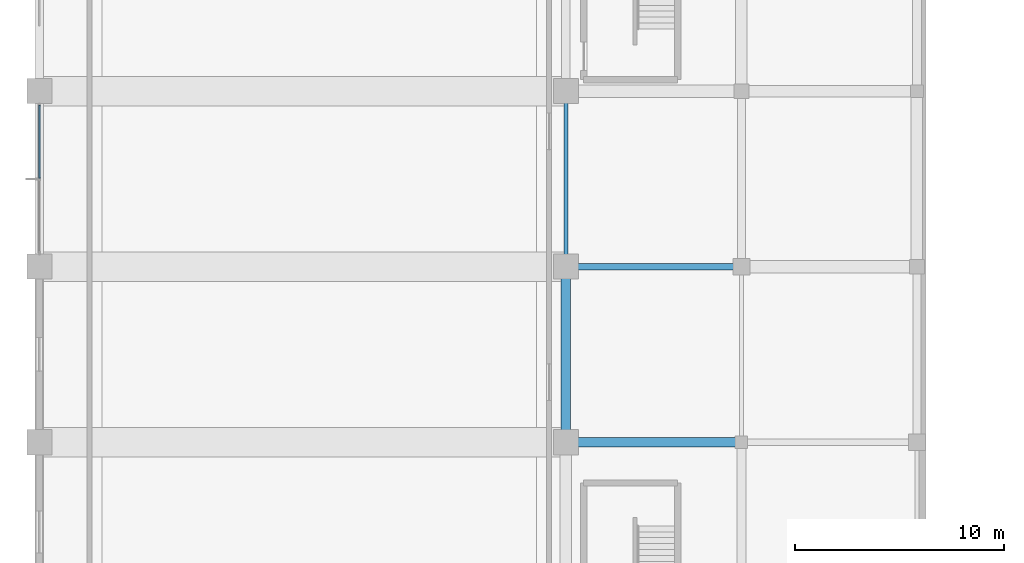
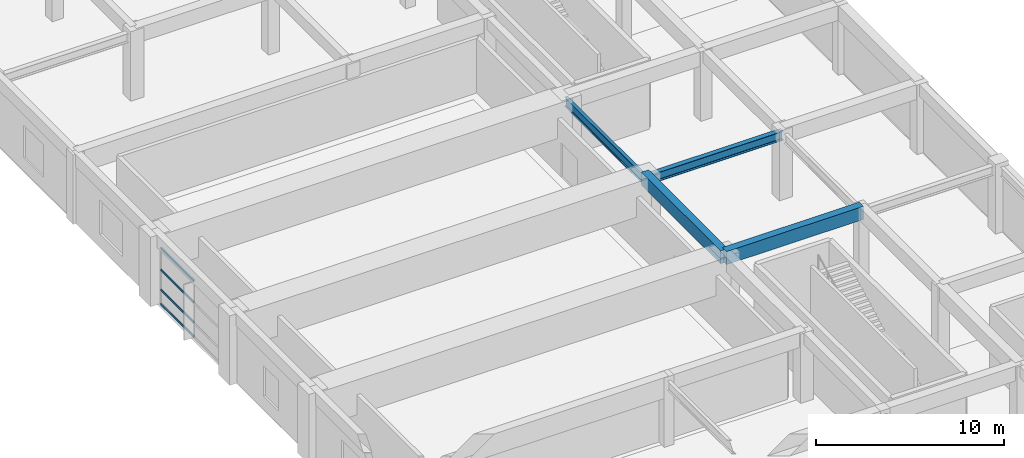
# One storey, part 17 of 62: 4 beams, 4 members, 1 element without a shape of its own.
"""IFC4 building model written with IfcOpenShell, lengths in metres."""

from ifc_helpers import new_model, si_unit, direction, frame, origin, origin_2d, place, context, subcontext, project, spatial, rectangle, i_section, extrude, material, material_profile, profile_set, type_object, element, aggregate, save


model = new_model("IFC4")

# Units and contexts
model_context = context("Model", 3, precision=1e-05, world=origin(), true_north=direction((0.0, 1.0)))
body_context = subcontext(model_context, "Body", "Model", "MODEL_VIEW")
ifc_project = project(units=[si_unit("LENGTHUNIT", "METRE"), si_unit("AREAUNIT", "SQUARE_METRE"), si_unit("VOLUMEUNIT", "CUBIC_METRE"), si_unit("PLANEANGLEUNIT", "RADIAN"), si_unit("MASSUNIT", "GRAM", prefix="KILO")], contexts=[model_context])

# Site, building, storey
site_placement = place(None, origin())
site = spatial("IfcSite", under=ifc_project, at=site_placement, CompositionType="ELEMENT")
building_placement = place(site_placement, origin())
building = spatial("IfcBuilding", under=site, at=building_placement, Name="Xuanlan Plaza Opera House", CompositionType="ELEMENT")
storey_placement = place(building_placement, frame((0.0, 0.0, 14.39990234375)))
storey = spatial("IfcBuildingStorey", under=building, at=storey_placement, Name="L03", CompositionType="ELEMENT", Elevation=14.39990234375)

# Curtain wall, members
ifc_material_1 = material(Name="Anodised Aluminium 6063-T6 and Low-E Glass", Category="aluminium")
curtain_wall_type = type_object("IfcCurtainWallType", Name="ENV-CW-CW-04", PredefinedType="USERDEFINED", material=ifc_material_1)
curtain_wall_placement = place(storey_placement, origin())
curtain_wall = element("IfcCurtainWall", 1, at=curtain_wall_placement, inside=storey, type_object=curtain_wall_type, Name="Unitised Curtain Wall L03-051", ObjectType="UNITISED CURTAIN WALL", PredefinedType="USERDEFINED")
ifc_material_2 = material(Name="Anodised Aluminium 6063-T6", Category="aluminium")
ifc_material_profile_1 = material_profile(ifc_material_2, rectangle(XDim=0.070068359375, YDim=0.135009765625, at=origin_2d()), Name="ALU-T 70x135")
ifc_profile_set_1 = profile_set([ifc_material_profile_1], Name="Anodised Aluminium 6063-T6")
member_type = type_object("IfcMemberType", Name="ENV-CWT-02", PredefinedType="USERDEFINED", material=ifc_profile_set_1)
member_1_placement = place(storey_placement, frame((0.0, 66.514892578125, 0.03515625), z_axis=(0.0, -1.0, 0.0), x_axis=(1.0, 0.0, 0.0)))
member_1 = element("IfcMember", 2, at=member_1_placement, type_object=member_type, Name="CW-04 transom 1.1", ObjectType="TRANSOM", PredefinedType="USERDEFINED", context=body_context, shape_type="SweptSolid", body=[
    extrude(rectangle(XDim=0.070068359375, YDim=0.135009765625, at=origin_2d()), origin(), (0.0, 0.0, 1.0), 3.482421875),
])
member_2_placement = place(storey_placement, frame((0.0, 66.514892578125, 0.9501953125), z_axis=(0.0, -1.0, 0.0), x_axis=(1.0, 0.0, 0.0)))
member_2 = element("IfcMember", 3, at=member_2_placement, type_object=member_type, Name="CW-04 transom 1.2", ObjectType="TRANSOM", PredefinedType="USERDEFINED", context=body_context, shape_type="SweptSolid", body=[
    extrude(rectangle(XDim=0.070068359375, YDim=0.135009765625, at=origin_2d()), origin(), (0.0, 0.0, 1.0), 3.482421875),
])
member_3_placement = place(storey_placement, frame((0.0, 66.514892578125, 2.25), z_axis=(0.0, -1.0, 0.0), x_axis=(1.0, 0.0, 0.0)))
member_3 = element("IfcMember", 4, at=member_3_placement, type_object=member_type, Name="CW-04 transom 1.3", ObjectType="TRANSOM", PredefinedType="USERDEFINED", context=body_context, shape_type="SweptSolid", body=[
    extrude(rectangle(XDim=0.070068359375, YDim=0.135009765625, at=origin_2d()), origin(), (0.0, 0.0, 1.0), 3.482421875),
])
member_4_placement = place(storey_placement, frame((0.0, 66.514892578125, 3.64501953125), z_axis=(0.0, -1.0, 0.0), x_axis=(1.0, 0.0, 0.0)))
member_4 = element("IfcMember", 5, at=member_4_placement, type_object=member_type, Name="CW-04 transom 1.4", ObjectType="TRANSOM", PredefinedType="USERDEFINED", context=body_context, shape_type="SweptSolid", body=[
    extrude(rectangle(XDim=0.070068359375, YDim=0.135009765625, at=origin_2d()), origin(), (0.0, 0.0, 1.0), 3.482421875),
])
aggregate(curtain_wall, [member_1, member_2, member_3, member_4])

# Beams
ifc_material_3 = material(Name="Concrete C40", Category="concrete")
ifc_material_profile_2 = material_profile(ifc_material_3, rectangle(XDim=0.449951171875, YDim=0.85009765625, at=origin_2d()), Name="RC-BM 450x850")
ifc_profile_set_2 = profile_set([ifc_material_profile_2], Name="Concrete C40")
beam_type_1 = type_object("IfcBeamType", Name="STR-BM-B-04", PredefinedType="BEAM", material=ifc_profile_set_2)
for number, where, z_axis, x_axis, name in (
    (6, (25.199951171875, 50.39990234375, 4.0751953125), (1.0, 0.0, 0.0), (0.0, 1.0, 0.0), "Grid Beam X L03 4-5/G"),
    (7, (25.199951171875, 50.39990234375, 4.0751953125), (0.0, 1.0, 0.0), (-1.0, 0.0, 0.0), "Grid Beam Y L03 4/G-H"),
):
    element("IfcBeam", number, at=place(storey_placement, frame(where, z_axis=z_axis, x_axis=x_axis)), inside=storey, type_object=beam_type_1, Name=name, PredefinedType="BEAM", context=body_context, shape_type="SweptSolid", body=[
        extrude(rectangle(XDim=0.449951171875, YDim=0.85009765625, at=origin_2d()), origin(), (0.0, 0.0, 1.0), 8.400146484375),
    ])
ifc_material_4 = material(Name="Steel Q355B", Category="steel")
ifc_material_profile_3 = material_profile(ifc_material_4, i_section(OverallWidth=0.199951171875, OverallDepth=0.60009765625, WebThickness=0.010986328125, FlangeThickness=0.01708984375, FilletRadius=0.02197265625, at=origin_2d()), Name="HN 600x200x11x17")
ifc_profile_set_3 = profile_set([ifc_material_profile_3], Name="Steel Q355B")
beam_type_2 = type_object("IfcBeamType", Name="STR-BM-SB-04", PredefinedType="BEAM", material=ifc_profile_set_3)
beam_1_placement = place(storey_placement, frame((25.199951171875, 58.800048828125, 3.93505859375), z_axis=(0.0, 1.0, 0.0), x_axis=(-1.0, 0.0, 0.0)))
element("IfcBeam", 8, at=beam_1_placement, inside=storey, type_object=beam_type_2, Name="Grid Beam Y L03 4/H-I", PredefinedType="BEAM", context=body_context, shape_type="SweptSolid", body=[
    extrude(i_section(OverallWidth=0.199951171875, OverallDepth=0.60009765625, WebThickness=0.010986328125, FlangeThickness=0.01708984375, FilletRadius=0.02197265625, at=origin_2d()), origin(), (0.0, 0.0, 1.0), 8.39990234375),
])
ifc_material_profile_4 = material_profile(ifc_material_4, i_section(OverallWidth=0.300048828125, OverallDepth=0.587890625, WebThickness=0.011962890625, FlangeThickness=0.02001953125, FilletRadius=0.02392578125, at=origin_2d()), Name="HM 588x300x12x20")
ifc_profile_set_4 = profile_set([ifc_material_profile_4], Name="Steel Q355B")
beam_type_3 = type_object("IfcBeamType", Name="STR-BM-SB-06", PredefinedType="BEAM", material=ifc_profile_set_4)
beam_2_placement = place(storey_placement, frame((25.199951171875, 58.800048828125, 3.941162109375), z_axis=(1.0, 0.0, 0.0), x_axis=(0.0, 1.0, 0.0)))
element("IfcBeam", 9, at=beam_2_placement, inside=storey, type_object=beam_type_3, Name="Grid Beam X L03 4-5/H", PredefinedType="BEAM", context=body_context, shape_type="SweptSolid", body=[
    extrude(i_section(OverallWidth=0.300048828125, OverallDepth=0.587890625, WebThickness=0.011962890625, FlangeThickness=0.02001953125, FilletRadius=0.02392578125, at=origin_2d()), origin(), (0.0, 0.0, 1.0), 8.400146484375),
])

save(model, "model.ifc")
